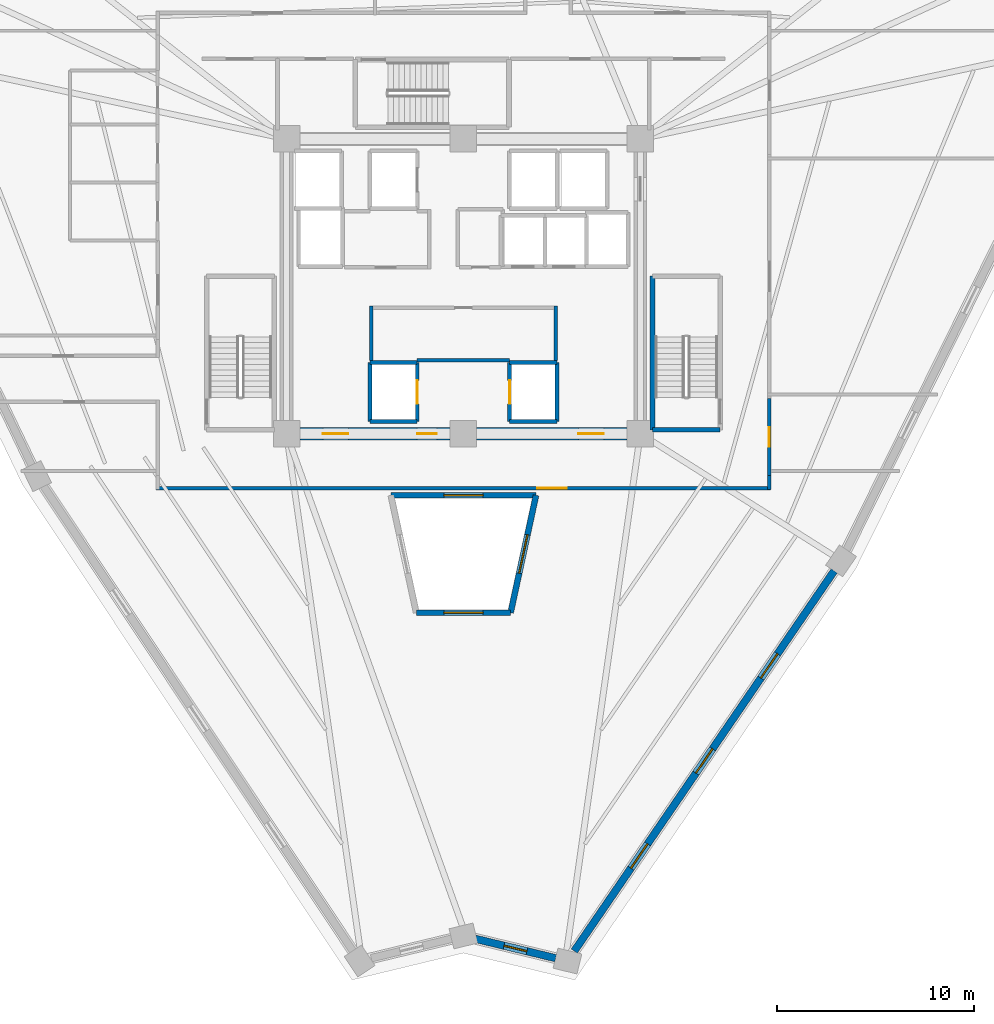
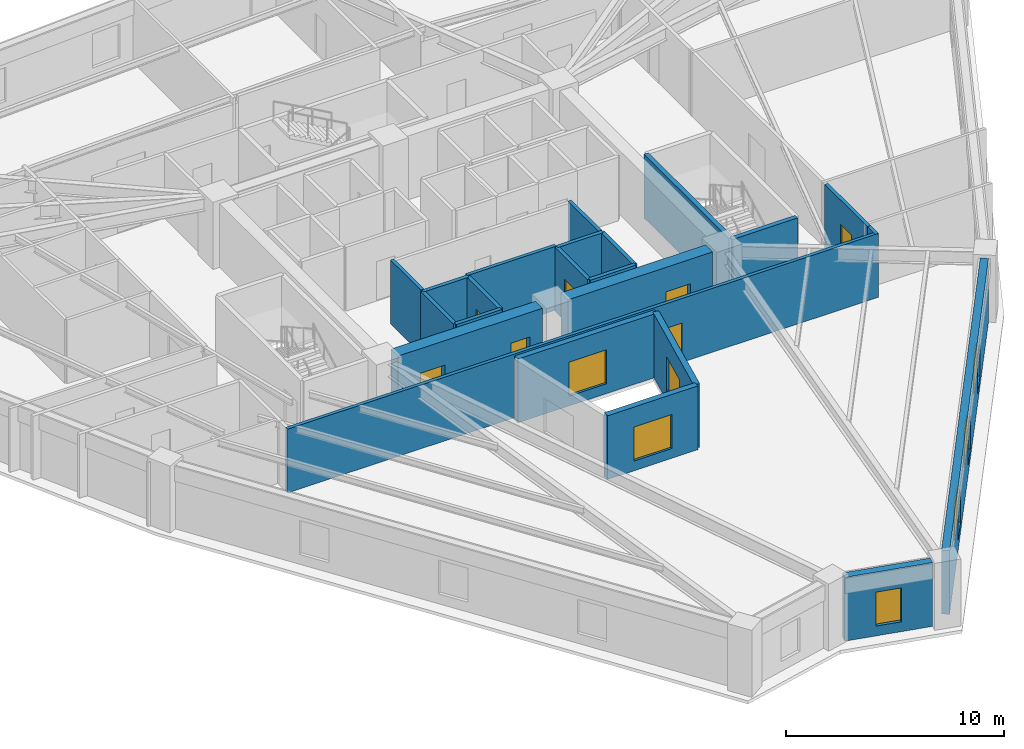
# One storey, part 3 of 8: 23 walls, 7 doors, 7 windows, 14 openings.
"""IFC4 building model written with IfcOpenShell, lengths in metres."""

from ifc_helpers import new_model, si_unit, direction, frame, frame_2d, origin, place, context, subcontext, project, spatial, rectangle, extrude, source, transform, mapped, material, layer, layer_set, type_object, element, fill, save


model = new_model("IFC4")

# Units and contexts
model_context = context("Model", 3, precision=1e-05, world=origin(), true_north=direction((0.0, 1.0)))
body_context = subcontext(model_context, "Body", "Model", "MODEL_VIEW")
ifc_project = project(units=[si_unit("LENGTHUNIT", "METRE"), si_unit("AREAUNIT", "SQUARE_METRE"), si_unit("VOLUMEUNIT", "CUBIC_METRE"), si_unit("PLANEANGLEUNIT", "RADIAN"), si_unit("MASSUNIT", "GRAM", prefix="KILO")], contexts=[model_context])

# Site, building, storey
site_placement = place(None, origin())
site = spatial("IfcSite", under=ifc_project, at=site_placement, CompositionType="ELEMENT")
building_placement = place(site_placement, origin())
building = spatial("IfcBuilding", under=site, at=building_placement, Name="Liaohun Quay Tower", CompositionType="ELEMENT")
storey_placement = place(building_placement, frame((0.0, 0.0, 243.75)))
storey = spatial("IfcBuildingStorey", under=building, at=storey_placement, Name="L63", CompositionType="ELEMENT", Elevation=243.75)

# Wall, opening, window
ifc_material_1 = material(Name="Concrete C50", Category="concrete")
ifc_layer_1 = layer(ifc_material_1, 0.300048828125, Name="Concrete C50", Category="concrete")
ifc_layer_set_1 = layer_set([ifc_layer_1], Name="Concrete C50")
wall_type_1 = type_object("IfcWallType", Name="WAL-ATR-300", PredefinedType="SOLIDWALL", material=ifc_layer_set_1)
wall_1_placement = place(storey_placement, frame((56.306884765625, 43.3701171875, 0.0), z_axis=(0.0, 0.0, 1.0), x_axis=(1.0, 0.0, 0.0)))
wall_1 = element("IfcWall", 1, at=wall_1_placement, inside=storey, type_object=wall_type_1, Name="L63 Atrium Fire Compartment Wall 2", PredefinedType="SOLIDWALL", context=body_context, shape_type="SweptSolid", body=[
    extrude(rectangle(XDim=7.38623046875, YDim=0.300048828125, at=frame_2d((3.693115234375, 0.0))), origin(), (0.0, 0.0, 1.0), 3.570068359375),
])
shared_shape_1 = source(origin(), body_context, "Body", "SweptSolid", [
    extrude(rectangle(XDim=2.0, YDim=1.89990234375, at=frame_2d((1.0, 0.949951171875))), frame((0.0, 0.159912109375, 0.0), z_axis=(0.0, -1.0, 0.0), x_axis=(1.0, 0.0, 0.0)), (0.0, 0.0, 1.0), 0.320068359375),
])
opening_1_placement = place(wall_1_placement, frame((2.693115234375, 0.0, 0.550048828125)))
opening_1 = element("IfcOpeningElement", 2, at=opening_1_placement, cuts=wall_1, Name="Opening W07", PredefinedType="OPENING", context=body_context, shape_type="MappedRepresentation", body=[
    mapped(shared_shape_1, transform((0.0, 0.0, 0.0), x_axis=(1.0, 0.0, 0.0), y_axis=(0.0, 1.0, 0.0), z_axis=(0.0, 0.0, 1.0), scale=1.0)),
])
ifc_material_2 = material(Name="Class A 180-min fire-resistant insulated glazing", Category="glass")
window_type_1 = type_object("IfcWindowType", Name="WIN-ATR-FIR", PartitioningType="DOUBLE_PANEL_VERTICAL", PredefinedType="WINDOW", material=ifc_material_2)
shared_shape_2 = source(origin(), body_context, "Body", "SweptSolid", [
    extrude(rectangle(XDim=2.0, YDim=1.89990234375, at=frame_2d((1.0, 0.949951171875))), frame((0.0, 0.030029296875, 0.0), z_axis=(0.0, -1.0, 0.0), x_axis=(1.0, 0.0, 0.0)), (0.0, 0.0, 1.0), 0.06005859375),
])
window_1_placement = place(opening_1_placement, origin())
window_1 = element("IfcWindow", 3, at=window_1_placement, inside=storey, type_object=window_type_1, Name="L63 Atrium Fire-Resistant Glazing W07-2", OverallHeight=1.89990234375, OverallWidth=2.0, PartitioningType="DOUBLE_PANEL_VERTICAL", PredefinedType="WINDOW", context=body_context, shape_type="MappedRepresentation", body=[
    mapped(shared_shape_2, transform((0.0, 0.0, 0.0), x_axis=(1.0, 0.0, 0.0), y_axis=(0.0, 1.0, 0.0), z_axis=(0.0, 0.0, 1.0), scale=1.0)),
])
fill(opening_1, window_1)

wall_2_placement = place(storey_placement, frame((63.693115234375, 43.3701171875, 0.0), z_axis=(0.0, 0.0, 1.0), x_axis=(-0.211469886749, -0.977384513382, 0.0)))
wall_2 = element("IfcWall", 4, at=wall_2_placement, inside=storey, type_object=wall_type_1, Name="L63 Atrium Fire Compartment Wall 3", PredefinedType="SOLIDWALL", context=body_context, shape_type="SweptSolid", body=[
    extrude(rectangle(XDim=6.115234375, YDim=0.300048828125, at=frame_2d((3.0576171875, 0.0))), origin(), (0.0, 0.0, 1.0), 3.570068359375),
])
opening_2_placement = place(wall_2_placement, frame((2.05810546875, 0.0, 0.550048828125)))
opening_2 = element("IfcOpeningElement", 5, at=opening_2_placement, cuts=wall_2, Name="Opening W07", PredefinedType="OPENING", context=body_context, shape_type="MappedRepresentation", body=[
    mapped(shared_shape_1, transform((0.0, 0.0, 0.0), x_axis=(1.0, 0.0, 0.0), y_axis=(0.0, 1.0, 0.0), z_axis=(0.0, 0.0, 1.0), scale=1.0)),
])
window_2_placement = place(opening_2_placement, origin())
window_2 = element("IfcWindow", 6, at=window_2_placement, inside=storey, type_object=window_type_1, Name="L63 Atrium Fire-Resistant Glazing W07-3", OverallHeight=1.89990234375, OverallWidth=2.0, PartitioningType="DOUBLE_PANEL_VERTICAL", PredefinedType="WINDOW", context=body_context, shape_type="MappedRepresentation", body=[
    mapped(shared_shape_2, transform((0.0, 0.0, 0.0), x_axis=(1.0, 0.0, 0.0), y_axis=(0.0, 1.0, 0.0), z_axis=(0.0, 0.0, 1.0), scale=1.0)),
])
fill(opening_2, window_2)

wall_3_placement = place(storey_placement, frame((62.39990234375, 37.39306640625, 0.0), z_axis=(0.0, 0.0, 1.0), x_axis=(-1.0, 0.0, 0.0)))
wall_3 = element("IfcWall", 7, at=wall_3_placement, inside=storey, type_object=wall_type_1, Name="L63 Atrium Fire Compartment Wall 4", PredefinedType="SOLIDWALL", context=body_context, shape_type="SweptSolid", body=[
    extrude(rectangle(XDim=4.7998046875, YDim=0.300048828125, at=frame_2d((2.39990234375, 0.0))), origin(), (0.0, 0.0, 1.0), 3.570068359375),
])
opening_3_placement = place(wall_3_placement, frame((1.39990234375, 0.0, 0.550048828125)))
opening_3 = element("IfcOpeningElement", 8, at=opening_3_placement, cuts=wall_3, Name="Opening W07", PredefinedType="OPENING", context=body_context, shape_type="MappedRepresentation", body=[
    mapped(shared_shape_1, transform((0.0, 0.0, 0.0), x_axis=(1.0, 0.0, 0.0), y_axis=(0.0, 1.0, 0.0), z_axis=(0.0, 0.0, 1.0), scale=1.0)),
])
window_3_placement = place(opening_3_placement, origin())
window_3 = element("IfcWindow", 9, at=window_3_placement, inside=storey, type_object=window_type_1, Name="L63 Atrium Fire-Resistant Glazing W07-4", OverallHeight=1.89990234375, OverallWidth=2.0, PartitioningType="DOUBLE_PANEL_VERTICAL", PredefinedType="WINDOW", context=body_context, shape_type="MappedRepresentation", body=[
    mapped(shared_shape_2, transform((0.0, 0.0, 0.0), x_axis=(1.0, 0.0, 0.0), y_axis=(0.0, 1.0, 0.0), z_axis=(0.0, 0.0, 1.0), scale=1.0)),
])
fill(opening_3, window_3)

# Wall, opening, door
ifc_material_3 = material(Name="Concrete C55", Category="concrete")
ifc_layer_2 = layer(ifc_material_3, 0.64990234375, Name="Concrete C55", Category="concrete")
ifc_layer_set_2 = layer_set([ifc_layer_2], Name="Concrete C55")
wall_type_2 = type_object("IfcWallType", Name="WAL-COR-Z3", PredefinedType="SHEAR", material=ifc_layer_set_2)
wall_4_placement = place(storey_placement, frame((68.324951171875, 46.5, 0.0), z_axis=(0.0, 0.0, 1.0), x_axis=(-1.0, 0.0, 0.0)))
wall_4 = element("IfcWall", 10, at=wall_4_placement, inside=storey, type_object=wall_type_2, Name="L63 Central Core Shear Wall S-E", PredefinedType="SHEAR", context=body_context, shape_type="SweptSolid", body=[
    extrude(rectangle(XDim=7.64990234375, YDim=0.64990234375, at=frame_2d((3.824951171875, 0.0))), origin(), (0.0, 0.0, 1.0), 3.570068359375),
])
shared_shape_3 = source(origin(), body_context, "Body", "SweptSolid", [
    extrude(rectangle(XDim=1.300048828125, YDim=2.199951171875, at=frame_2d((0.64990234375, 1.10009765625))), frame((0.0, 0.3349609375, 0.0), z_axis=(0.0, -1.0, 0.0), x_axis=(1.0, 0.0, 0.0)), (0.0, 0.0, 1.0), 0.669921875),
])
opening_4_placement = place(wall_4_placement, frame((1.175048828125, 0.0, 0.0)))
opening_4 = element("IfcOpeningElement", 11, at=opening_4_placement, cuts=wall_4, Name="Opening FD1", PredefinedType="OPENING", context=body_context, shape_type="MappedRepresentation", body=[
    mapped(shared_shape_3, transform((0.0, 0.0, 0.0), x_axis=(1.0, 0.0, 0.0), y_axis=(0.0, 1.0, 0.0), z_axis=(0.0, 0.0, 1.0), scale=1.0)),
])
ifc_material_4 = material(Name="Galvanised steel smokeproof fire door", Category="steel")
door_type_1 = type_object("IfcDoorType", Name="DOR-FFL-1300", OperationType="NOTDEFINED", PredefinedType="DOOR", material=ifc_material_4)
shared_shape_4 = source(origin(), body_context, "Body", "SweptSolid", [
    extrude(rectangle(XDim=1.300048828125, YDim=2.199951171875, at=frame_2d((0.64990234375, 1.10009765625))), frame((0.0, 0.02490234375, 0.0), z_axis=(0.0, -1.0, 0.0), x_axis=(1.0, 0.0, 0.0)), (0.0, 0.0, 1.0), 0.050048828125),
])
door_1_placement = place(opening_4_placement, origin())
door_1 = element("IfcDoor", 12, at=door_1_placement, inside=storey, type_object=door_type_1, Name="L63 East Core Lift Lobby Smokeproof Door", OperationType="SINGLE_SWING_LEFT", OverallHeight=2.199951171875, OverallWidth=1.300048828125, PredefinedType="DOOR", context=body_context, shape_type="MappedRepresentation", body=[
    mapped(shared_shape_4, transform((0.0, 0.0, 0.0), x_axis=(1.0, 0.0, 0.0), y_axis=(0.0, 1.0, 0.0), z_axis=(0.0, 0.0, 1.0), scale=1.0)),
])
fill(opening_4, door_1)

# Wall, openings, doors
wall_5_placement = place(storey_placement, frame((59.324951171875, 46.5, 0.0), z_axis=(0.0, 0.0, 1.0), x_axis=(-1.0, 0.0, 0.0)))
wall_5 = element("IfcWall", 13, at=wall_5_placement, inside=storey, type_object=wall_type_2, Name="L63 Central Core Shear Wall S-W", PredefinedType="SHEAR", context=body_context, shape_type="SweptSolid", body=[
    extrude(rectangle(XDim=7.64990234375, YDim=0.64990234375, at=frame_2d((3.824951171875, 0.0))), origin(), (0.0, 0.0, 1.0), 3.570068359375),
])
opening_5_placement = place(wall_5_placement, frame((5.175048828125, 0.0, 0.0)))
opening_5 = element("IfcOpeningElement", 14, at=opening_5_placement, cuts=wall_5, Name="Opening FD1", PredefinedType="OPENING", context=body_context, shape_type="MappedRepresentation", body=[
    mapped(shared_shape_3, transform((0.0, 0.0, 0.0), x_axis=(1.0, 0.0, 0.0), y_axis=(0.0, 1.0, 0.0), z_axis=(0.0, 0.0, 1.0), scale=1.0)),
])
shared_shape_5 = source(origin(), body_context, "Body", "SweptSolid", [
    extrude(rectangle(XDim=1.0, YDim=2.199951171875, at=frame_2d((0.5, 1.10009765625))), frame((0.0, 0.3349609375, 0.0), z_axis=(0.0, -1.0, 0.0), x_axis=(1.0, 0.0, 0.0)), (0.0, 0.0, 1.0), 0.669921875),
])
opening_6_placement = place(wall_5_placement, frame((0.675048828125, 0.0, 0.0)))
opening_6 = element("IfcOpeningElement", 15, at=opening_6_placement, cuts=wall_5, Name="Opening FD2", PredefinedType="OPENING", context=body_context, shape_type="MappedRepresentation", body=[
    mapped(shared_shape_5, transform((0.0, 0.0, 0.0), x_axis=(1.0, 0.0, 0.0), y_axis=(0.0, 1.0, 0.0), z_axis=(0.0, 0.0, 1.0), scale=1.0)),
])
door_2_placement = place(opening_5_placement, origin())
door_2 = element("IfcDoor", 16, at=door_2_placement, inside=storey, type_object=door_type_1, Name="L63 West Core Lift Lobby Smokeproof Door", OperationType="SINGLE_SWING_RIGHT", OverallHeight=2.199951171875, OverallWidth=1.300048828125, PredefinedType="DOOR", context=body_context, shape_type="MappedRepresentation", body=[
    mapped(shared_shape_4, transform((0.0, 0.0, 0.0), x_axis=(1.0, 0.0, 0.0), y_axis=(0.0, 1.0, 0.0), z_axis=(0.0, 0.0, 1.0), scale=1.0)),
])
fill(opening_5, door_2)
ifc_material_5 = material(Name="Galvanised steel smokeproof lobby fire door", Category="steel")
door_type_2 = type_object("IfcDoorType", Name="DOR-FFL-1000", OperationType="NOTDEFINED", PredefinedType="DOOR", material=ifc_material_5)
shared_shape_6 = source(origin(), body_context, "Body", "SweptSolid", [
    extrude(rectangle(XDim=1.0, YDim=2.199951171875, at=frame_2d((0.5, 1.10009765625))), frame((0.0, 0.02490234375, 0.0), z_axis=(0.0, -1.0, 0.0), x_axis=(1.0, 0.0, 0.0)), (0.0, 0.0, 1.0), 0.050048828125),
])
door_3_placement = place(opening_6_placement, origin())
door_3 = element("IfcDoor", 17, at=door_3_placement, inside=storey, type_object=door_type_2, Name="L63 South Firefighting Lobby Smokeproof Door", OperationType="SINGLE_SWING_LEFT", OverallHeight=2.199951171875, OverallWidth=1.0, PredefinedType="DOOR", context=body_context, shape_type="MappedRepresentation", body=[
    mapped(shared_shape_6, transform((0.0, 0.0, 0.0), x_axis=(1.0, 0.0, 0.0), y_axis=(0.0, 1.0, 0.0), z_axis=(0.0, 0.0, 1.0), scale=1.0)),
])
fill(opening_6, door_3)

# Wall, opening, window
ifc_material_6 = material(Name="Precast concrete C50 insulated sandwich", Category="concrete")
ifc_layer_3 = layer(ifc_material_6, 0.3798828125, Name="Precast concrete C50 insulated sandwich", Category="concrete")
ifc_layer_set_3 = layer_set([ifc_layer_3], Name="Precast concrete C50 insulated sandwich")
wall_type_3 = type_object("IfcWallType", Name="WAL-EXT-Z34", PredefinedType="SOLIDWALL", material=ifc_layer_set_3)
wall_6_placement = place(storey_placement, frame((60.597900390625, 20.80908203125, 0.0), z_axis=(0.0, 0.0, 1.0), x_axis=(0.972014274606, -0.234921795418, 0.0)))
wall_6 = element("IfcWall", 18, at=wall_6_placement, inside=storey, type_object=wall_type_3, Name="L63 Brutalist Precast Pier Wall 01", PredefinedType="SOLIDWALL", context=body_context, shape_type="SweptSolid", body=[
    extrude(rectangle(XDim=4.214111328125, YDim=0.3798828125, at=frame_2d((2.10693359375, 0.0))), origin(), (0.0, 0.0, 1.0), 3.570068359375),
])
shared_shape_7 = source(origin(), body_context, "Body", "SweptSolid", [
    extrude(rectangle(XDim=1.199951171875, YDim=1.89990234375, at=frame_2d((0.60009765625, 0.949951171875))), frame((0.0, 0.199951171875, 0.0), z_axis=(0.0, -1.0, 0.0), x_axis=(1.0, 0.0, 0.0)), (0.0, 0.0, 1.0), 0.39990234375),
])
opening_7_placement = place(wall_6_placement, frame((1.507080078125, 0.0, 0.550048828125)))
opening_7 = element("IfcOpeningElement", 19, at=opening_7_placement, cuts=wall_6, Name="Opening W05", PredefinedType="OPENING", context=body_context, shape_type="MappedRepresentation", body=[
    mapped(shared_shape_7, transform((0.0, 0.0, 0.0), x_axis=(1.0, 0.0, 0.0), y_axis=(0.0, 1.0, 0.0), z_axis=(0.0, 0.0, 1.0), scale=1.0)),
])
ifc_material_7 = material(Name="Triple Low-E corner notch glazing", Category="glass")
window_type_2 = type_object("IfcWindowType", Name="WIN-NOTCH", PartitioningType="SINGLE_PANEL", PredefinedType="WINDOW", material=ifc_material_7)
shared_shape_8 = source(origin(), body_context, "Body", "SweptSolid", [
    extrude(rectangle(XDim=1.199951171875, YDim=1.89990234375, at=frame_2d((0.60009765625, 0.949951171875))), frame((0.0, 0.030029296875, 0.0), z_axis=(0.0, -1.0, 0.0), x_axis=(1.0, 0.0, 0.0)), (0.0, 0.0, 1.0), 0.06005859375),
])
window_4_placement = place(opening_7_placement, origin())
window_4 = element("IfcWindow", 20, at=window_4_placement, inside=storey, type_object=window_type_2, Name="L63 Corner Notch Window W05-01", OverallHeight=1.89990234375, OverallWidth=1.199951171875, PartitioningType="SINGLE_PANEL", PredefinedType="WINDOW", context=body_context, shape_type="MappedRepresentation", body=[
    mapped(shared_shape_8, transform((0.0, 0.0, 0.0), x_axis=(1.0, 0.0, 0.0), y_axis=(0.0, 1.0, 0.0), z_axis=(0.0, 0.0, 1.0), scale=1.0)),
])
fill(opening_7, window_4)

# Wall, openings, windows
wall_7_placement = place(storey_placement, frame((65.638916015625, 20.18310546875, 0.0), z_axis=(0.0, 0.0, 1.0), x_axis=(0.564381319664, 0.825514219147, 0.0)))
wall_7 = element("IfcWall", 21, at=wall_7_placement, inside=storey, type_object=wall_type_3, Name="L63 Brutalist Precast Pier Wall 02", PredefinedType="SOLIDWALL", context=body_context, shape_type="SweptSolid", body=[
    extrude(rectangle(XDim=23.43115234375, YDim=0.3798828125, at=frame_2d((11.715576171875, 0.0))), origin(), (0.0, 0.0, 1.0), 3.570068359375),
])
shared_shape_9 = source(origin(), body_context, "Body", "SweptSolid", [
    extrude(rectangle(XDim=1.5, YDim=1.89990234375, at=frame_2d((0.75, 0.949951171875))), frame((0.0, 0.199951171875, 0.0), z_axis=(0.0, -1.0, 0.0), x_axis=(1.0, 0.0, 0.0)), (0.0, 0.0, 1.0), 0.39990234375),
])
opening_8_placement = place(wall_7_placement, frame((5.10791015625, 0.0, 0.550048828125)))
opening_8 = element("IfcOpeningElement", 22, at=opening_8_placement, cuts=wall_7, Name="Opening W03", PredefinedType="OPENING", context=body_context, shape_type="MappedRepresentation", body=[
    mapped(shared_shape_9, transform((0.0, 0.0, 0.0), x_axis=(1.0, 0.0, 0.0), y_axis=(0.0, 1.0, 0.0), z_axis=(0.0, 0.0, 1.0), scale=1.0)),
])
opening_9_placement = place(wall_7_placement, frame((10.966064453125, 0.0, 0.550048828125)))
opening_9 = element("IfcOpeningElement", 23, at=opening_9_placement, cuts=wall_7, Name="Opening W03", PredefinedType="OPENING", context=body_context, shape_type="MappedRepresentation", body=[
    mapped(shared_shape_9, transform((0.0, 0.0, 0.0), x_axis=(1.0, 0.0, 0.0), y_axis=(0.0, 1.0, 0.0), z_axis=(0.0, 0.0, 1.0), scale=1.0)),
])
opening_10_placement = place(wall_7_placement, frame((16.822998046875, 0.0, 0.550048828125)))
opening_10 = element("IfcOpeningElement", 24, at=opening_10_placement, cuts=wall_7, Name="Opening W03", PredefinedType="OPENING", context=body_context, shape_type="MappedRepresentation", body=[
    mapped(shared_shape_9, transform((0.0, 0.0, 0.0), x_axis=(1.0, 0.0, 0.0), y_axis=(0.0, 1.0, 0.0), z_axis=(0.0, 0.0, 1.0), scale=1.0)),
])
ifc_material_8 = material(Name="Triple Low-E argon glazing in thermally broken aluminium", Category="aluminium")
window_type_3 = type_object("IfcWindowType", Name="WIN-PUN-Z3", PartitioningType="DOUBLE_PANEL_VERTICAL", PredefinedType="WINDOW", material=ifc_material_8)
shared_shape_10 = source(origin(), body_context, "Body", "SweptSolid", [
    extrude(rectangle(XDim=1.5, YDim=1.89990234375, at=frame_2d((0.75, 0.949951171875))), frame((0.0, 0.030029296875, 0.0), z_axis=(0.0, -1.0, 0.0), x_axis=(1.0, 0.0, 0.0)), (0.0, 0.0, 1.0), 0.06005859375),
])
window_5_placement = place(opening_8_placement, origin())
window_5 = element("IfcWindow", 25, at=window_5_placement, inside=storey, type_object=window_type_3, Name="L63 Recessed Cold-Climate Punched Window 02-1", OverallHeight=1.89990234375, OverallWidth=1.5, PartitioningType="DOUBLE_PANEL_VERTICAL", PredefinedType="WINDOW", context=body_context, shape_type="MappedRepresentation", body=[
    mapped(shared_shape_10, transform((0.0, 0.0, 0.0), x_axis=(1.0, 0.0, 0.0), y_axis=(0.0, 1.0, 0.0), z_axis=(0.0, 0.0, 1.0), scale=1.0)),
])
fill(opening_8, window_5)
window_6_placement = place(opening_9_placement, origin())
window_6 = element("IfcWindow", 26, at=window_6_placement, inside=storey, type_object=window_type_3, Name="L63 Recessed Cold-Climate Punched Window 02-2", OverallHeight=1.89990234375, OverallWidth=1.5, PartitioningType="DOUBLE_PANEL_VERTICAL", PredefinedType="WINDOW", context=body_context, shape_type="MappedRepresentation", body=[
    mapped(shared_shape_10, transform((0.0, 0.0, 0.0), x_axis=(1.0, 0.0, 0.0), y_axis=(0.0, 1.0, 0.0), z_axis=(0.0, 0.0, 1.0), scale=1.0)),
])
fill(opening_9, window_6)
window_7_placement = place(opening_10_placement, origin())
window_7 = element("IfcWindow", 27, at=window_7_placement, inside=storey, type_object=window_type_3, Name="L63 Recessed Cold-Climate Punched Window 02-3", OverallHeight=1.89990234375, OverallWidth=1.5, PartitioningType="DOUBLE_PANEL_VERTICAL", PredefinedType="WINDOW", context=body_context, shape_type="MappedRepresentation", body=[
    mapped(shared_shape_10, transform((0.0, 0.0, 0.0), x_axis=(1.0, 0.0, 0.0), y_axis=(0.0, 1.0, 0.0), z_axis=(0.0, 0.0, 1.0), scale=1.0)),
])
fill(opening_10, window_7)

# Wall, opening, door
ifc_material_9 = material(Name="Autoclaved aerated concrete blockwork", Category="masonry")
ifc_layer_4 = layer(ifc_material_9, 0.179931640625, Name="Autoclaved aerated concrete blockwork", Category="masonry")
ifc_layer_set_4 = layer_set([ifc_layer_4], Name="Autoclaved aerated concrete blockwork")
wall_type_4 = type_object("IfcWallType", Name="WAL-PRT-COR", PredefinedType="PARTITIONING", material=ifc_layer_set_4)
wall_8_placement = place(storey_placement, frame((75.6298828125, 43.739990234375, 0.0), z_axis=(0.0, 0.0, 1.0), x_axis=(-1.0, 0.0, 0.0)))
wall_8 = element("IfcWall", 28, at=wall_8_placement, inside=storey, type_object=wall_type_4, Name="L63 Interior Partition Wall 019", PredefinedType="PARTITIONING", context=body_context, shape_type="SweptSolid", body=[
    extrude(rectangle(XDim=31.259765625, YDim=0.179931640625, at=frame_2d((15.6298828125, 0.0))), origin(), (0.0, 0.0, 1.0), 3.570068359375),
])
shared_shape_11 = source(origin(), body_context, "Body", "SweptSolid", [
    extrude(rectangle(XDim=1.5, YDim=2.199951171875, at=frame_2d((0.75, 1.10009765625))), frame((0.0, 0.099853515625, 0.0), z_axis=(0.0, -1.0, 0.0), x_axis=(1.0, 0.0, 0.0)), (0.0, 0.0, 1.0), 0.199951171875),
])
opening_11_placement = place(wall_8_placement, frame((10.3798828125, 0.0, 0.0)))
opening_11 = element("IfcOpeningElement", 29, at=opening_11_placement, cuts=wall_8, Name="Opening OD2", PredefinedType="OPENING", context=body_context, shape_type="MappedRepresentation", body=[
    mapped(shared_shape_11, transform((0.0, 0.0, 0.0), x_axis=(1.0, 0.0, 0.0), y_axis=(0.0, 1.0, 0.0), z_axis=(0.0, 0.0, 1.0), scale=1.0)),
])
ifc_material_10 = material(Name="Acoustic oak veneer double door")
door_type_3 = type_object("IfcDoorType", Name="DOR-OFF-1500", OperationType="DOUBLE_DOOR_SINGLE_SWING", PredefinedType="DOOR", material=ifc_material_10)
shared_shape_12 = source(origin(), body_context, "Body", "SweptSolid", [
    extrude(rectangle(XDim=1.5, YDim=2.199951171875, at=frame_2d((0.75, 1.10009765625))), frame((0.0, 0.02490234375, 0.0), z_axis=(0.0, -1.0, 0.0), x_axis=(1.0, 0.0, 0.0)), (0.0, 0.0, 1.0), 0.050048828125),
])
door_4_placement = place(opening_11_placement, origin())
door_4 = element("IfcDoor", 30, at=door_4_placement, inside=storey, type_object=door_type_3, Name="L63 Records Archive Store 09 Door", OperationType="DOUBLE_DOOR_SINGLE_SWING", OverallHeight=2.199951171875, OverallWidth=1.5, PredefinedType="DOOR", context=body_context, shape_type="MappedRepresentation", body=[
    mapped(shared_shape_12, transform((0.0, 0.0, 0.0), x_axis=(1.0, 0.0, 0.0), y_axis=(0.0, 1.0, 0.0), z_axis=(0.0, 0.0, 1.0), scale=1.0)),
])
fill(opening_11, door_4)

wall_9_placement = place(storey_placement, frame((75.56005859375, 48.284912109375, 0.0), z_axis=(0.0, 0.0, 1.0), x_axis=(0.0, -1.0, 0.0)))
wall_9 = element("IfcWall", 31, at=wall_9_placement, inside=storey, type_object=wall_type_4, Name="L63 Interior Partition Wall 020", PredefinedType="PARTITIONING", context=body_context, shape_type="SweptSolid", body=[
    extrude(rectangle(XDim=3.89990234375, YDim=0.179931640625, at=frame_2d((1.949951171875, 0.0))), origin(), (0.0, 0.0, 1.0), 3.570068359375),
])
shared_shape_13 = source(origin(), body_context, "Body", "SweptSolid", [
    extrude(rectangle(XDim=1.0, YDim=2.199951171875, at=frame_2d((0.5, 1.10009765625))), frame((0.0, 0.099853515625, 0.0), z_axis=(0.0, -1.0, 0.0), x_axis=(1.0, 0.0, 0.0)), (0.0, 0.0, 1.0), 0.199951171875),
])
opening_12_placement = place(wall_9_placement, frame((1.449951171875, 0.0, 0.0)))
opening_12 = element("IfcOpeningElement", 32, at=opening_12_placement, cuts=wall_9, Name="Opening OD1", PredefinedType="OPENING", context=body_context, shape_type="MappedRepresentation", body=[
    mapped(shared_shape_13, transform((0.0, 0.0, 0.0), x_axis=(1.0, 0.0, 0.0), y_axis=(0.0, 1.0, 0.0), z_axis=(0.0, 0.0, 1.0), scale=1.0)),
])
ifc_material_11 = material(Name="Solid-core oak veneer timber leaf in steel frame", Category="steel")
door_type_4 = type_object("IfcDoorType", Name="DOR-OFF-1000", OperationType="NOTDEFINED", PredefinedType="DOOR", material=ifc_material_11)
door_5_placement = place(opening_12_placement, origin())
door_5 = element("IfcDoor", 33, at=door_5_placement, inside=storey, type_object=door_type_4, Name="L63 Open-Plan Office Workplace 10 Door", OperationType="SINGLE_SWING_RIGHT", OverallHeight=2.199951171875, OverallWidth=1.0, PredefinedType="DOOR", context=body_context, shape_type="MappedRepresentation", body=[
    mapped(shared_shape_6, transform((0.0, 0.0, 0.0), x_axis=(1.0, 0.0, 0.0), y_axis=(0.0, 1.0, 0.0), z_axis=(0.0, 0.0, 1.0), scale=1.0)),
])
fill(opening_12, door_5)

# Walls
wall_10_placement = place(storey_placement, frame((75.56005859375, 44.385009765625, 0.0), z_axis=(0.0, 0.0, 1.0), x_axis=(0.0, -1.0, 0.0)))
element("IfcWall", 34, at=wall_10_placement, inside=storey, type_object=wall_type_4, Name="L63 Interior Partition Wall 039", PredefinedType="PARTITIONING", context=body_context, shape_type="SweptSolid", body=[
    extrude(rectangle(XDim=0.715087890625, YDim=0.179931640625, at=frame_2d((0.357421875, 0.0))), origin(), (0.0, 0.0, 1.0), 3.570068359375),
])
for number, where, z_axis, x_axis, name in (
    (35, (55.300048828125, 50.219970703125, 0.0), (0.0, 0.0, 1.0), (0.0, 1.0, 0.0), "L63 Interior Partition Wall 048"),
    (36, (64.699951171875, 50.219970703125, 0.0), (0.0, 0.0, 1.0), (0.0, 1.0, 0.0), "L63 Interior Partition Wall 049"),
):
    element("IfcWall", number, at=place(storey_placement, frame(where, z_axis=z_axis, x_axis=x_axis)), inside=storey, type_object=wall_type_4, Name=name, PredefinedType="PARTITIONING", context=body_context, shape_type="SweptSolid", body=[
        extrude(rectangle(XDim=2.7900390625, YDim=0.179931640625, at=frame_2d((1.39501953125, 0.0))), origin(), (0.0, 0.0, 1.0), 3.570068359375),
    ])
wall_11_placement = place(storey_placement, frame((57.64990234375, 50.25, 0.0), z_axis=(0.0, 0.0, 1.0), x_axis=(1.0, 0.0, 0.0)))
element("IfcWall", 37, at=wall_11_placement, inside=storey, type_object=wall_type_4, Name="L63 Interior Partition Wall 050", PredefinedType="PARTITIONING", context=body_context, shape_type="SweptSolid", body=[
    extrude(rectangle(XDim=4.7001953125, YDim=0.179931640625, at=frame_2d((2.35009765625, 0.0))), origin(), (0.0, 0.0, 1.0), 3.570068359375),
])
ifc_layer_5 = layer(ifc_material_1, 0.239990234375, Name="Concrete C50", Category="concrete")
ifc_layer_set_5 = layer_set([ifc_layer_5], Name="Concrete C50")
wall_type_5 = type_object("IfcWallType", Name="WAL-SHF-200", PredefinedType="SOLIDWALL", material=ifc_layer_set_5)
wall_12_placement = place(storey_placement, frame((69.6201171875, 46.699951171875, 0.0), z_axis=(0.0, 0.0, 1.0), x_axis=(1.0, 0.0, 0.0)))
element("IfcWall", 38, at=wall_12_placement, inside=storey, type_object=wall_type_5, Name="L63 Stairwell ST-2 Structural Core Wall S", PredefinedType="SOLIDWALL", context=body_context, shape_type="SweptSolid", body=[
    extrude(rectangle(XDim=3.43994140625, YDim=0.239990234375, at=frame_2d((1.719970703125, 0.0))), origin(), (0.0, 0.0, 1.0), 3.570068359375),
])
wall_13_placement = place(storey_placement, frame((69.6201171875, 54.52001953125, 0.0), z_axis=(0.0, 0.0, 1.0), x_axis=(0.0, -1.0, 0.0)))
element("IfcWall", 39, at=wall_13_placement, inside=storey, type_object=wall_type_5, Name="L63 Stairwell ST-2 Structural Core Wall W", PredefinedType="SOLIDWALL", context=body_context, shape_type="SweptSolid", body=[
    extrude(rectangle(XDim=7.820068359375, YDim=0.239990234375, at=frame_2d((3.91015625, 0.0))), origin(), (0.0, 0.0, 1.0), 3.570068359375),
])
wall_14_placement = place(storey_placement, frame((55.25, 47.1201171875, 0.0), z_axis=(0.0, 0.0, 1.0), x_axis=(1.0, 0.0, 0.0)))
element("IfcWall", 40, at=wall_14_placement, inside=storey, type_object=wall_type_5, Name="L63 Lift FF-01 Hoistway Wall S", PredefinedType="SOLIDWALL", context=body_context, shape_type="SweptSolid", body=[
    extrude(rectangle(XDim=2.39990234375, YDim=0.199951171875, at=frame_2d((1.199951171875, 0.0))), origin(), (0.0, 0.0, 1.0), 3.570068359375),
])

# Wall, opening, door
wall_15_placement = place(storey_placement, frame((57.64990234375, 47.1201171875, 0.0), z_axis=(0.0, 0.0, 1.0), x_axis=(0.0, 1.0, 0.0)))
wall_15 = element("IfcWall", 41, at=wall_15_placement, inside=storey, type_object=wall_type_5, Name="L63 Lift FF-01 Hoistway Wall E", PredefinedType="SOLIDWALL", context=body_context, shape_type="SweptSolid", body=[
    extrude(rectangle(XDim=3.0, YDim=0.199951171875, at=frame_2d((1.5, 0.0))), origin(), (0.0, 0.0, 1.0), 3.570068359375),
])
shared_shape_14 = source(origin(), body_context, "Body", "SweptSolid", [
    extrude(rectangle(XDim=1.199951171875, YDim=2.300048828125, at=frame_2d((0.60009765625, 1.14990234375))), frame((0.0, 0.10986328125, 0.0), z_axis=(0.0, -1.0, 0.0), x_axis=(1.0, 0.0, 0.0)), (0.0, 0.0, 1.0), 0.219970703125),
])
opening_13_placement = place(wall_15_placement, frame((0.89990234375, 0.0, 0.0)))
opening_13 = element("IfcOpeningElement", 42, at=opening_13_placement, cuts=wall_15, Name="Opening LD2", PredefinedType="OPENING", context=body_context, shape_type="MappedRepresentation", body=[
    mapped(shared_shape_14, transform((0.0, 0.0, 0.0), x_axis=(1.0, 0.0, 0.0), y_axis=(0.0, 1.0, 0.0), z_axis=(0.0, 0.0, 1.0), scale=1.0)),
])
ifc_material_12 = material(Name="Brushed stainless steel stretcher landing door", Category="steel")
door_type_5 = type_object("IfcDoorType", Name="DOR-LFT-1200", OperationType="SLIDING_TO_LEFT", PredefinedType="DOOR", material=ifc_material_12)
shared_shape_15 = source(origin(), body_context, "Body", "SweptSolid", [
    extrude(rectangle(XDim=1.199951171875, YDim=2.300048828125, at=frame_2d((0.60009765625, 1.14990234375))), frame((0.0, 0.02490234375, 0.0), z_axis=(0.0, -1.0, 0.0), x_axis=(1.0, 0.0, 0.0)), (0.0, 0.0, 1.0), 0.050048828125),
])
door_6_placement = place(opening_13_placement, origin())
door_6 = element("IfcDoor", 43, at=door_6_placement, inside=storey, type_object=door_type_5, Name="L63 Lift FF-01 Sliding Landing Door", OperationType="SLIDING_TO_LEFT", OverallHeight=2.300048828125, OverallWidth=1.199951171875, PredefinedType="DOOR", context=body_context, shape_type="MappedRepresentation", body=[
    mapped(shared_shape_15, transform((0.0, 0.0, 0.0), x_axis=(1.0, 0.0, 0.0), y_axis=(0.0, 1.0, 0.0), z_axis=(0.0, 0.0, 1.0), scale=1.0)),
])
fill(opening_13, door_6)

# Walls
wall_16_placement = place(storey_placement, frame((57.64990234375, 50.1201171875, 0.0), z_axis=(0.0, 0.0, 1.0), x_axis=(-1.0, 0.0, 0.0)))
element("IfcWall", 44, at=wall_16_placement, inside=storey, type_object=wall_type_5, Name="L63 Lift FF-01 Hoistway Wall N", PredefinedType="SOLIDWALL", context=body_context, shape_type="SweptSolid", body=[
    extrude(rectangle(XDim=2.39990234375, YDim=0.199951171875, at=frame_2d((1.199951171875, 0.0))), origin(), (0.0, 0.0, 1.0), 3.570068359375),
])
wall_17_placement = place(storey_placement, frame((55.25, 50.1201171875, 0.0), z_axis=(0.0, 0.0, 1.0), x_axis=(0.0, -1.0, 0.0)))
element("IfcWall", 45, at=wall_17_placement, inside=storey, type_object=wall_type_5, Name="L63 Lift FF-01 Hoistway Wall W", PredefinedType="SOLIDWALL", context=body_context, shape_type="SweptSolid", body=[
    extrude(rectangle(XDim=3.0, YDim=0.199951171875, at=frame_2d((1.5, 0.0))), origin(), (0.0, 0.0, 1.0), 3.570068359375),
])
wall_18_placement = place(storey_placement, frame((62.35009765625, 47.1201171875, 0.0), z_axis=(0.0, 0.0, 1.0), x_axis=(1.0, 0.0, 0.0)))
element("IfcWall", 46, at=wall_18_placement, inside=storey, type_object=wall_type_5, Name="L63 Lift FF-02 Hoistway Wall S", PredefinedType="SOLIDWALL", context=body_context, shape_type="SweptSolid", body=[
    extrude(rectangle(XDim=2.39990234375, YDim=0.199951171875, at=frame_2d((1.199951171875, 0.0))), origin(), (0.0, 0.0, 1.0), 3.570068359375),
])
wall_19_placement = place(storey_placement, frame((64.75, 47.1201171875, 0.0), z_axis=(0.0, 0.0, 1.0), x_axis=(0.0, 1.0, 0.0)))
element("IfcWall", 47, at=wall_19_placement, inside=storey, type_object=wall_type_5, Name="L63 Lift FF-02 Hoistway Wall E", PredefinedType="SOLIDWALL", context=body_context, shape_type="SweptSolid", body=[
    extrude(rectangle(XDim=3.0, YDim=0.199951171875, at=frame_2d((1.5, 0.0))), origin(), (0.0, 0.0, 1.0), 3.570068359375),
])
wall_20_placement = place(storey_placement, frame((64.75, 50.1201171875, 0.0), z_axis=(0.0, 0.0, 1.0), x_axis=(-1.0, 0.0, 0.0)))
element("IfcWall", 48, at=wall_20_placement, inside=storey, type_object=wall_type_5, Name="L63 Lift FF-02 Hoistway Wall N", PredefinedType="SOLIDWALL", context=body_context, shape_type="SweptSolid", body=[
    extrude(rectangle(XDim=2.39990234375, YDim=0.199951171875, at=frame_2d((1.199951171875, 0.0))), origin(), (0.0, 0.0, 1.0), 3.570068359375),
])

# Wall, opening, door
wall_21_placement = place(storey_placement, frame((62.35009765625, 50.1201171875, 0.0), z_axis=(0.0, 0.0, 1.0), x_axis=(0.0, -1.0, 0.0)))
wall_21 = element("IfcWall", 49, at=wall_21_placement, inside=storey, type_object=wall_type_5, Name="L63 Lift FF-02 Hoistway Wall W", PredefinedType="SOLIDWALL", context=body_context, shape_type="SweptSolid", body=[
    extrude(rectangle(XDim=3.0, YDim=0.199951171875, at=frame_2d((1.5, 0.0))), origin(), (0.0, 0.0, 1.0), 3.570068359375),
])
opening_14_placement = place(wall_21_placement, frame((0.89990234375, 0.0, 0.0)))
opening_14 = element("IfcOpeningElement", 50, at=opening_14_placement, cuts=wall_21, Name="Opening LD2", PredefinedType="OPENING", context=body_context, shape_type="MappedRepresentation", body=[
    mapped(shared_shape_14, transform((0.0, 0.0, 0.0), x_axis=(1.0, 0.0, 0.0), y_axis=(0.0, 1.0, 0.0), z_axis=(0.0, 0.0, 1.0), scale=1.0)),
])
door_7_placement = place(opening_14_placement, origin())
door_7 = element("IfcDoor", 51, at=door_7_placement, inside=storey, type_object=door_type_5, Name="L63 Lift FF-02 Sliding Landing Door", OperationType="SLIDING_TO_LEFT", OverallHeight=2.300048828125, OverallWidth=1.199951171875, PredefinedType="DOOR", context=body_context, shape_type="MappedRepresentation", body=[
    mapped(shared_shape_15, transform((0.0, 0.0, 0.0), x_axis=(1.0, 0.0, 0.0), y_axis=(0.0, 1.0, 0.0), z_axis=(0.0, 0.0, 1.0), scale=1.0)),
])
fill(opening_14, door_7)

save(model, "model.ifc")
